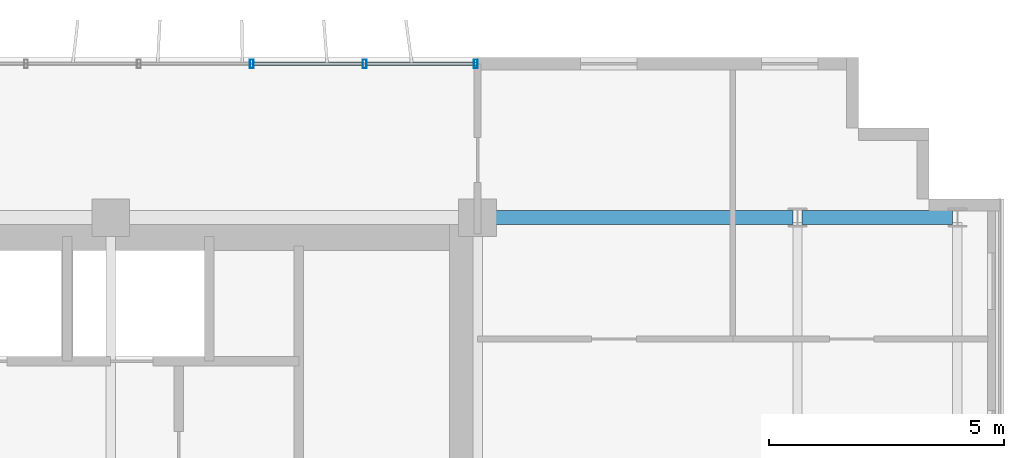
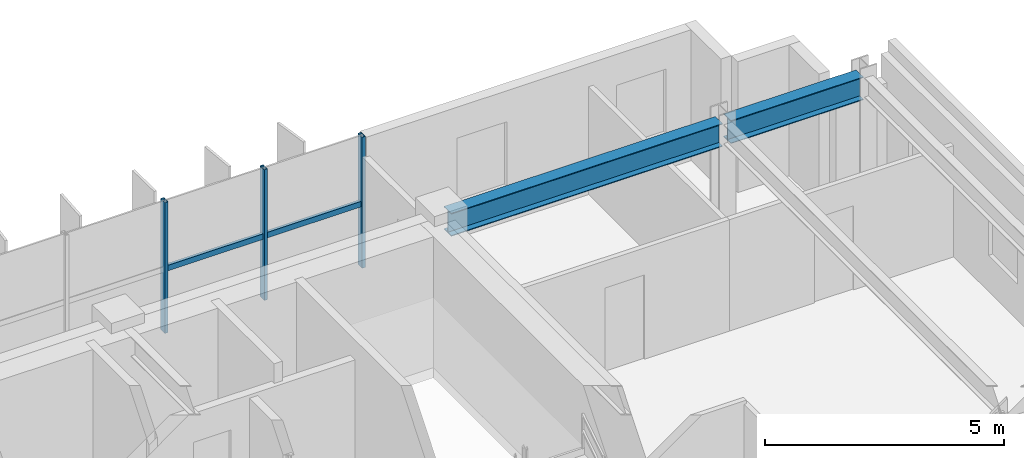
# One storey, part 11 of 22: 5 members, 2 beams, 1 element without a shape of its own.
"""IFC4 building model written with IfcOpenShell, lengths in metres."""

import ifcopenshell
import ifcopenshell.guid

model = None  # the IFC model being written
_history = None  # IfcOwnerHistory: only IFC2X3 demands one
_inside = {}  # id of a spatial element -> (the spatial element, [elements in it])
_under = {}  # id of a project, library or spatial element -> (it, [spatial elements below it])
_declared = {}  # id of a project -> (the project, [libraries it declares])
_typed = {}  # id of a type object -> (the type object, [elements of that type])
_made_of = {}  # id of a material, layer set ... -> (it, [elements and type objects made of it])


def new_model(schema):
    """Start an empty IFC model of exactly this schema.

    Asked for "IFC4X3", IfcOpenShell would pick the latest addendum, in which some entities
    have other attributes; the version numbers below select the first issue.
    IFC2X3 requires an IfcOwnerHistory on every rooted entity: one is made here for all.
    """
    global model, _history
    if schema == "IFC4X3":
        model = ifcopenshell.file(schema_version=(4, 3, 0, 0))
    else:
        model = ifcopenshell.file(schema=schema)
    _inside.clear()
    _under.clear()
    _declared.clear()
    _typed.clear()
    _made_of.clear()
    _history = None
    if model.schema == "IFC2X3":
        org = make("IfcOrganization", Name="unknown")
        user = make(
            "IfcPersonAndOrganization",
            ThePerson=make("IfcPerson", FamilyName="unknown"),
            TheOrganization=org,
        )
        app = make(
            "IfcApplication",
            ApplicationDeveloper=org,
            Version="unknown",
            ApplicationFullName="unknown",
            ApplicationIdentifier="unknown",
        )
        _history = make(
            "IfcOwnerHistory",
            OwningUser=user,
            OwningApplication=app,
            ChangeAction="ADDED",
            CreationDate=0,
        )
    return model


def make(cls, **values):
    """One entity of the class cls with the attributes given. An attribute that is None is left unset."""
    return model.create_entity(
        cls, **{name: value for name, value in values.items() if value is not None}
    )


def rooted(cls, **values):
    """An entity with a GlobalId (a new one), such as an element, a storey or a relation."""
    return make(cls, GlobalId=ifcopenshell.guid.new(), OwnerHistory=_history, **values)


def si_unit(unit_type, name, prefix=None):
    """IfcSIUnit, for example si_unit("LENGTHUNIT", "METRE", prefix="MILLI")."""
    return make("IfcSIUnit", UnitType=unit_type, Prefix=prefix, Name=name)


def assignment(units):
    """IfcUnitAssignment: the units of a project."""
    return None if units is None else make("IfcUnitAssignment", Units=units)


def point(xyz):
    """IfcCartesianPoint."""
    return None if xyz is None else make("IfcCartesianPoint", Coordinates=xyz)


def direction(xyz):
    """IfcDirection."""
    return None if xyz is None else make("IfcDirection", DirectionRatios=xyz)


def frame(location, z_axis=None, x_axis=None):
    """IfcAxis2Placement3D, a coordinate frame: its origin and axes. An axis left out is left unset."""
    return make(
        "IfcAxis2Placement3D",
        Location=point(location),
        Axis=direction(z_axis),
        RefDirection=direction(x_axis),
    )


def frame_2d(location, x_axis=None):
    """IfcAxis2Placement2D, a coordinate frame in the plane: its origin and x axis."""
    return make(
        "IfcAxis2Placement2D", Location=point(location), RefDirection=direction(x_axis)
    )


def origin():
    """The frame at (0, 0, 0) with its axes left unset."""
    return frame((0.0, 0.0, 0.0))


def origin_2d():
    """The frame at (0, 0) in the plane with its x axis left unset."""
    return frame_2d((0.0, 0.0))


def place(relative_to, where):
    """IfcLocalPlacement: puts the frame where relative to a parent placement (None: the world)."""
    return make(
        "IfcLocalPlacement", PlacementRelTo=relative_to, RelativePlacement=where
    )


def context(
    kind, dimensions, precision=None, world=None, true_north=None, identifier=None
):
    """IfcGeometricRepresentationContext, for example the 3D "Model" context."""
    return make(
        "IfcGeometricRepresentationContext",
        ContextIdentifier=identifier,
        ContextType=kind,
        CoordinateSpaceDimension=dimensions,
        Precision=precision,
        WorldCoordinateSystem=world,
        TrueNorth=true_north,
    )


def subcontext(parent, identifier, kind, view, scale=None):
    """IfcGeometricRepresentationSubContext, for example "Body" below "Model"."""
    return make(
        "IfcGeometricRepresentationSubContext",
        ContextIdentifier=identifier,
        ContextType=kind,
        ParentContext=parent,
        TargetScale=scale,
        TargetView=view,
    )


def project(units=None, contexts=None):
    """IfcProject with its units and contexts."""
    return rooted(
        "IfcProject",
        Name="project",
        RepresentationContexts=contexts,
        UnitsInContext=assignment(units),
    )


def spatial(cls, under=None, at=None, **own):
    """A site, building, storey or space (cls), placed at a placement, below another one or the project."""
    s = rooted(cls, ObjectPlacement=at, **own)
    if under is not None:
        _under.setdefault(under.id(), (under, []))[1].append(s)
    return s


def profile(cls, at=None, kind="AREA", **sizes):
    """A parametric profile (cls). Its sizes go by their IFC names, for example OverallWidth=200.0."""
    return make(cls, ProfileType=kind, Position=at, **sizes)


def hollow_rectangle(**sizes):
    """IfcRectangleHollowProfileDef."""
    return profile("IfcRectangleHollowProfileDef", **sizes)


def i_section(**sizes):
    """IfcIShapeProfileDef."""
    return profile("IfcIShapeProfileDef", **sizes)


def extrude(swept, where, along, depth):
    """IfcExtrudedAreaSolid: the profile swept, set in the frame where, extruded along a direction by depth."""
    return make(
        "IfcExtrudedAreaSolid",
        SweptArea=swept,
        Position=where,
        ExtrudedDirection=direction(along),
        Depth=depth,
    )


def shape(context_of_items, identifier, shape_type, items):
    """IfcShapeRepresentation: the items that make up one representation, for example the "Body"."""
    return make(
        "IfcShapeRepresentation",
        ContextOfItems=context_of_items,
        RepresentationIdentifier=identifier,
        RepresentationType=shape_type,
        Items=items,
    )


def source(mapping_origin, context_of_items, identifier, shape_type, items):
    """IfcRepresentationMap: a shape defined once, which mapped items show again and again."""
    return make(
        "IfcRepresentationMap",
        MappingOrigin=mapping_origin,
        MappedRepresentation=shape(context_of_items, identifier, shape_type, items),
    )


def transform(
    local_origin,
    x_axis=None,
    y_axis=None,
    z_axis=None,
    scale=None,
    scale2=None,
    scale3=None,
    uniform=True,
):
    """IfcCartesianTransformationOperator3D, or its non-uniform kind. x_axis, y_axis, z_axis: its Axis1, 2, 3."""
    if uniform:
        return make(
            "IfcCartesianTransformationOperator3D",
            Axis1=direction(x_axis),
            Axis2=direction(y_axis),
            LocalOrigin=point(local_origin),
            Scale=scale,
            Axis3=direction(z_axis),
        )
    return make(
        "IfcCartesianTransformationOperator3DnonUniform",
        Axis1=direction(x_axis),
        Axis2=direction(y_axis),
        LocalOrigin=point(local_origin),
        Scale=scale,
        Axis3=direction(z_axis),
        Scale2=scale2,
        Scale3=scale3,
    )


def mapped(mapping_source, mapping_target):
    """IfcMappedItem: shows the shape of a source again, moved by a transform."""
    return make(
        "IfcMappedItem", MappingSource=mapping_source, MappingTarget=mapping_target
    )


def material(Name=None, Category=None):
    """IfcMaterial."""
    return make("IfcMaterial", Name=Name, Category=Category)


def material_profile(
    of_material, cross_section, Name=None, Category=None, Priority=None
):
    """IfcMaterialProfile: a cross section and its material."""
    return make(
        "IfcMaterialProfile",
        Name=Name,
        Material=of_material,
        Profile=cross_section,
        Priority=Priority,
        Category=Category,
    )


def profile_set(profiles, Name=None, composite=None):
    """IfcMaterialProfileSet."""
    return make(
        "IfcMaterialProfileSet",
        Name=Name,
        MaterialProfiles=profiles,
        CompositeProfile=composite,
    )


def made_of(thing, what):
    """Note that an element or type object is made of a material, layer set ...; save() writes the relation."""
    if what is not None:
        _made_of.setdefault(what.id(), (what, []))[1].append(thing)
    return thing


def type_object(cls, material=None, **own):
    """A type object (cls), such as IfcWallType, which elements share."""
    return made_of(rooted(cls, **own), material)


def element(
    cls,
    number,
    at=None,
    inside=None,
    cuts=None,
    type_object=None,
    material=None,
    context=None,
    identifier="Body",
    shape_type=None,
    held_by="IfcProductDefinitionShape",
    body=None,
    shapes=None,
    **own,
):
    """One element of the class cls, such as IfcWall. Its Tag is "e" and its number.

    at: its placement. inside: the storey or other place that contains it. cuts: it is an
    opening in that element (IfcRelVoidsElement). A single representation is given by context,
    identifier, shape_type and body (its items); several are given by shapes. held_by: the class
    of the entity that holds the representations. save() writes the other relations.
    """
    e = rooted(cls, Tag="e%d" % number, ObjectPlacement=at, **own)
    if body is not None:
        shapes = [shape(context, identifier, shape_type, body)]
    if shapes is not None:
        e.Representation = make(held_by, Representations=shapes)
    if inside is not None:
        _inside.setdefault(inside.id(), (inside, []))[1].append(e)
    if cuts is not None:
        rooted(
            "IfcRelVoidsElement", RelatingBuildingElement=cuts, RelatedOpeningElement=e
        )
    if type_object is not None:
        _typed.setdefault(type_object.id(), (type_object, []))[1].append(e)
    return made_of(e, material)


def aggregate(whole, parts):
    """IfcRelAggregates: a whole, such as a stair, and the parts it consists of."""
    return rooted("IfcRelAggregates", RelatingObject=whole, RelatedObjects=parts)


def save(model, path):
    """Write the relations noted so far, then the file.

    IfcRelAggregates (storeys below a building ...), IfcRelContainedInSpatialStructure (elements
    in a storey), IfcRelDefinesByType, IfcRelAssociatesMaterial and IfcRelDeclares: one each for
    every whole, place, type object, material and project.
    """
    for whole, parts in _under.values():
        aggregate(whole, parts)
    for where, things in _inside.values():
        rooted(
            "IfcRelContainedInSpatialStructure",
            RelatedElements=things,
            RelatingStructure=where,
        )
    for kind, things in _typed.values():
        rooted("IfcRelDefinesByType", RelatedObjects=things, RelatingType=kind)
    for what, things in _made_of.values():
        rooted("IfcRelAssociatesMaterial", RelatedObjects=things, RelatingMaterial=what)
    for by, libraries in _declared.values():
        rooted("IfcRelDeclares", RelatingContext=by, RelatedDefinitions=libraries)
    model.write(path)


model = new_model("IFC4")

# Units and contexts
model_context = context("Model", 3, precision=1e-05, world=origin(), true_north=direction((0.0, 1.0)))
body_context = subcontext(model_context, "Body", "Model", "MODEL_VIEW")
ifc_project = project(units=[si_unit("LENGTHUNIT", "METRE"), si_unit("AREAUNIT", "SQUARE_METRE"), si_unit("VOLUMEUNIT", "CUBIC_METRE"), si_unit("PLANEANGLEUNIT", "RADIAN"), si_unit("MASSUNIT", "GRAM", prefix="KILO")], contexts=[model_context])

# Site, building, storey
site_placement = place(None, origin())
site = spatial("IfcSite", under=ifc_project, at=site_placement, CompositionType="ELEMENT")
building_placement = place(site_placement, origin())
building = spatial("IfcBuilding", under=site, at=building_placement, Name="Trelvane Seafront Commons", CompositionType="ELEMENT")
storey_placement = place(building_placement, frame((0.0, 0.0, 88.89990234375)))
storey = spatial("IfcBuildingStorey", under=building, at=storey_placement, Name="L22", CompositionType="ELEMENT", Elevation=88.89990234375)

# Beams
ifc_material_1 = material(Name="Steel SM355 (S355)", Category="steel")
ifc_material_profile_1 = material_profile(ifc_material_1, i_section(OverallWidth=0.300048828125, OverallDepth=0.587890625, WebThickness=0.011962890625, FlangeThickness=0.02001953125, at=origin_2d()), Name="H-588x300x12x20")
ifc_profile_set_1 = profile_set([ifc_material_profile_1], Name="Steel SM355 (S355)")
beam_type = type_object("IfcBeamType", Name="STR-BM-H588", PredefinedType="BEAM", material=ifc_profile_set_1)
shared_shape_1 = source(origin(), body_context, "Body", "SweptSolid", [
    extrude(i_section(OverallWidth=0.300048828125, OverallDepth=0.587890625, WebThickness=0.011962890625, FlangeThickness=0.02001953125, at=origin_2d()), origin(), (0.0, 0.0, 1.0), 3.199951171875),
])
beam_1_placement = place(storey_placement, frame((65.699951171875, 45.10009765625, 3.046142578125), z_axis=(1.0, 0.0, 0.0), x_axis=(0.0, 1.0, 0.0)))
element("IfcBeam", 1, at=beam_1_placement, inside=storey, type_object=beam_type, Name="L22 Primary Girder G-36", PredefinedType="BEAM", context=body_context, shape_type="MappedRepresentation", body=[
    mapped(shared_shape_1, transform((0.0, 0.0, 0.0), x_axis=(1.0, 0.0, 0.0), y_axis=(0.0, 1.0, 0.0), z_axis=(0.0, 0.0, 1.0), scale=1.0)),
])
shared_shape_2 = source(origin(), body_context, "Body", "SweptSolid", [
    extrude(i_section(OverallWidth=0.300048828125, OverallDepth=0.587890625, WebThickness=0.011962890625, FlangeThickness=0.02001953125, at=origin_2d()), origin(), (0.0, 0.0, 1.0), 6.550048828125),
])
beam_2_placement = place(storey_placement, frame((58.949951171875, 45.10009765625, 3.046142578125), z_axis=(1.0, 0.0, 0.0), x_axis=(0.0, 1.0, 0.0)))
element("IfcBeam", 2, at=beam_2_placement, inside=storey, type_object=beam_type, Name="L22 Primary Girder G-35", PredefinedType="BEAM", context=body_context, shape_type="MappedRepresentation", body=[
    mapped(shared_shape_2, transform((0.0, 0.0, 0.0), x_axis=(1.0, 0.0, 0.0), y_axis=(0.0, 1.0, 0.0), z_axis=(0.0, 0.0, 1.0), scale=1.0)),
])

# Curtain wall, members
ifc_material_2 = material(Name="Anodised pale-silver aluminium", Category="aluminium")
curtain_wall_type = type_object("IfcCurtainWallType", Name="ARCH-CW4-SKYLOBBY", PredefinedType="NOTDEFINED", material=ifc_material_2)
curtain_wall_placement = place(storey_placement, origin())
curtain_wall = element("IfcCurtainWall", 3, at=curtain_wall_placement, inside=storey, type_object=curtain_wall_type, Name="CW-L22-0047", PredefinedType="NOTDEFINED")
ifc_material_profile_2 = material_profile(ifc_material_2, hollow_rectangle(XDim=0.074951171875, YDim=0.139892578125, WallThickness=0.00390625, at=origin_2d()), Name="TRAN-75x140x4")
ifc_profile_set_2 = profile_set([ifc_material_profile_2], Name="Anodised pale-silver aluminium")
member_type_1 = type_object("IfcMemberType", Name="ARCH-CW-TRAN-140", PredefinedType="USERDEFINED", material=ifc_profile_set_2)
shared_shape_3 = source(origin(), body_context, "Body", "SweptSolid", [
    extrude(hollow_rectangle(XDim=0.074951171875, YDim=0.139892578125, WallThickness=0.00390625, at=origin_2d()), origin(), (0.0, 0.0, 1.0), 2.3759765625),
])
member_1_placement = place(storey_placement, frame((54.011962890625, 48.3701171875, 1.60302734375), z_axis=(1.0, 0.0, 0.0), x_axis=(0.0, 1.0, 0.0)))
member_1 = element("IfcMember", 4, at=member_1_placement, type_object=member_type_1, Name="CW-L22-0047-T16", ObjectType="TRANSOM", PredefinedType="USERDEFINED", context=body_context, shape_type="MappedRepresentation", body=[
    mapped(shared_shape_3, transform((0.0, 0.0, 0.0), x_axis=(1.0, 0.0, 0.0), y_axis=(0.0, 1.0, 0.0), z_axis=(0.0, 0.0, 1.0), scale=1.0)),
])
member_2_placement = place(storey_placement, frame((56.412109375, 48.3701171875, 1.60302734375), z_axis=(1.0, 0.0, 0.0), x_axis=(0.0, 1.0, 0.0)))
member_2 = element("IfcMember", 5, at=member_2_placement, type_object=member_type_1, Name="CW-L22-0047-T17", ObjectType="TRANSOM", PredefinedType="USERDEFINED", context=body_context, shape_type="MappedRepresentation", body=[
    mapped(shared_shape_3, transform((0.0, 0.0, 0.0), x_axis=(1.0, 0.0, 0.0), y_axis=(0.0, 1.0, 0.0), z_axis=(0.0, 0.0, 1.0), scale=1.0)),
])
ifc_material_profile_3 = material_profile(ifc_material_2, hollow_rectangle(XDim=0.080078125, YDim=0.179931640625, WallThickness=0.00439453125, at=origin_2d()), Name="MULL-80x180x4.5")
ifc_profile_set_3 = profile_set([ifc_material_profile_3], Name="Anodised pale-silver aluminium")
member_type_2 = type_object("IfcMemberType", Name="ARCH-CW-MULL-180", PredefinedType="MULLION", material=ifc_profile_set_3)
shared_shape_4 = source(origin(), body_context, "Body", "SweptSolid", [
    extrude(hollow_rectangle(XDim=0.080078125, YDim=0.179931640625, WallThickness=0.00439453125, at=origin_2d()), origin(), (0.0, 0.0, 1.0), 3.340087890625),
])
member_3_placement = place(storey_placement, frame((54.0, 48.3701171875, 0.0), z_axis=(0.0, 0.0, 1.0), x_axis=(1.0, 0.0, 0.0)))
member_3 = element("IfcMember", 6, at=member_3_placement, type_object=member_type_2, Name="CW-L22-0047-M16", PredefinedType="MULLION", context=body_context, shape_type="MappedRepresentation", body=[
    mapped(shared_shape_4, transform((0.0, 0.0, 0.0), x_axis=(1.0, 0.0, 0.0), y_axis=(0.0, 1.0, 0.0), z_axis=(0.0, 0.0, 1.0), scale=1.0)),
])
member_4_placement = place(storey_placement, frame((56.39990234375, 48.3701171875, 0.0), z_axis=(0.0, 0.0, 1.0), x_axis=(1.0, 0.0, 0.0)))
member_4 = element("IfcMember", 7, at=member_4_placement, type_object=member_type_2, Name="CW-L22-0047-M17", PredefinedType="MULLION", context=body_context, shape_type="MappedRepresentation", body=[
    mapped(shared_shape_4, transform((0.0, 0.0, 0.0), x_axis=(1.0, 0.0, 0.0), y_axis=(0.0, 1.0, 0.0), z_axis=(0.0, 0.0, 1.0), scale=1.0)),
])
member_5_placement = place(storey_placement, frame((58.760009765625, 48.3701171875, 0.0), z_axis=(0.0, 0.0, 1.0), x_axis=(1.0, 0.0, 0.0)))
member_5 = element("IfcMember", 8, at=member_5_placement, type_object=member_type_2, Name="CW-L22-0047-M18", PredefinedType="MULLION", context=body_context, shape_type="MappedRepresentation", body=[
    mapped(shared_shape_4, transform((0.0, 0.0, 0.0), x_axis=(1.0, 0.0, 0.0), y_axis=(0.0, 1.0, 0.0), z_axis=(0.0, 0.0, 1.0), scale=1.0)),
])
aggregate(curtain_wall, [member_3, member_4, member_5, member_1, member_2])

save(model, "model.ifc")
